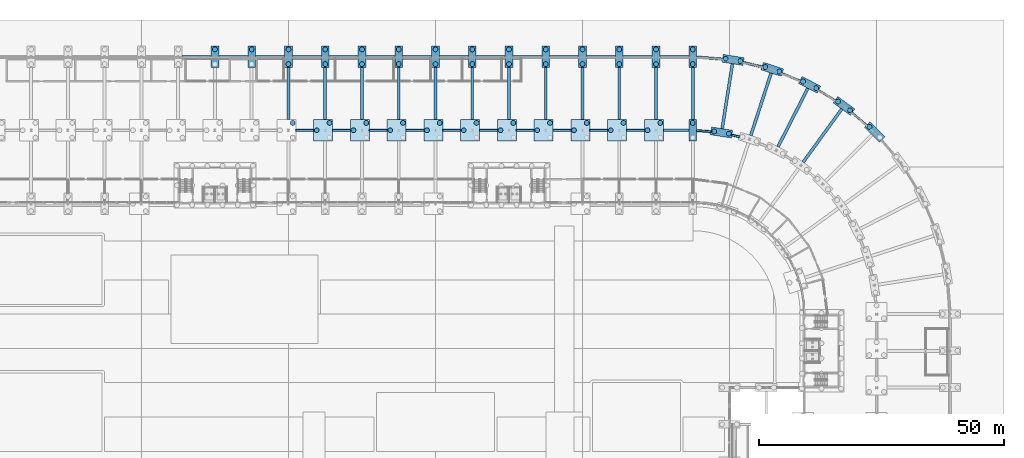
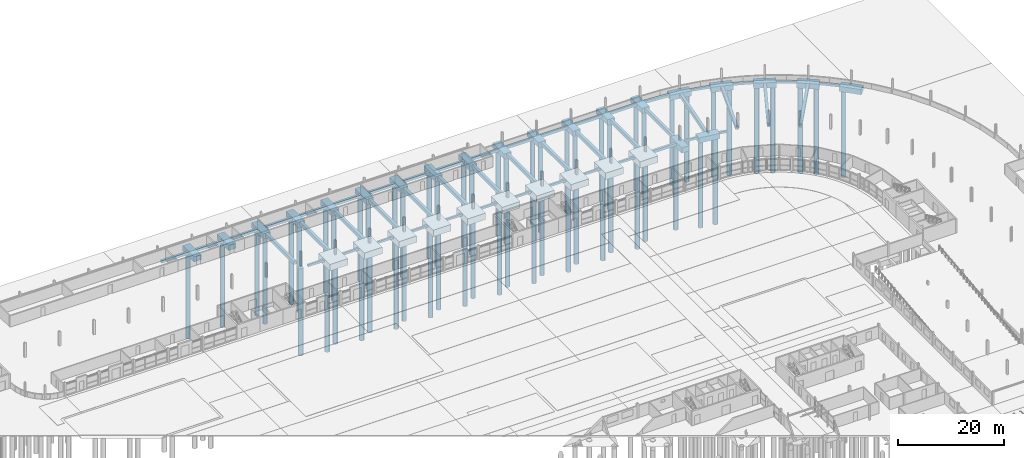
# One storey, part 8 of 130: 79 footings, 59 piles.
"""IFC4 building model written with IfcOpenShell, lengths in metres."""

from ifc_helpers import new_model, si_unit, direction, frame, origin, origin_2d, place, context, subcontext, project, spatial, rectangle, circle, extrude, material, material_profile, profile_set, type_object, element, save


model = new_model("IFC4")

# Units and contexts
model_context = context("Model", 3, precision=1e-05, world=origin(), true_north=direction((0.0, 1.0)))
body_context = subcontext(model_context, "Body", "Model", "MODEL_VIEW")
ifc_project = project(units=[si_unit("LENGTHUNIT", "METRE"), si_unit("AREAUNIT", "SQUARE_METRE"), si_unit("VOLUMEUNIT", "CUBIC_METRE"), si_unit("PLANEANGLEUNIT", "RADIAN"), si_unit("MASSUNIT", "GRAM", prefix="KILO")], contexts=[model_context])

# Site, building, storey
site_placement = place(None, origin())
site = spatial("IfcSite", under=ifc_project, at=site_placement, CompositionType="ELEMENT")
building_placement = place(site_placement, origin())
building = spatial("IfcBuilding", under=site, at=building_placement, Name="Parallax Yard Mobility Hub", CompositionType="ELEMENT")
storey_placement = place(building_placement, origin())
storey = spatial("IfcBuildingStorey", under=building, at=storey_placement, Name="L00", CompositionType="ELEMENT", Elevation=0.0)

# Piles
ifc_material = material(Name="Concrete fc' 28 MPa", Category="concrete")
ifc_material_profile_1 = material_profile(ifc_material, circle(Radius=0.5, at=origin_2d()), Name="Bored pile D1000")
ifc_profile_set_1 = profile_set([ifc_material_profile_1], Name="Concrete fc' 28 MPa")
pile_type = type_object("IfcPileType", Name="Bored pile D1000", PredefinedType="BORED", material=ifc_profile_set_1)
for number, where, z_axis, x_axis, name in (
    (1, (179.852783203125, 126.802978515625, -1.35009765625), (0.0, 0.0, -1.0), (1.0, 0.0, 0.0), "Bored pile 1 of PC1 under column V4 at RB/R1"),
    (2, (176.8798828125, 127.273681640625, -1.35009765625), (0.0, 0.0, -1.0), (1.0, 0.0, 0.0), "Bored pile 2 of PC1 under column V4 at RB/R1"),
    (3, (182.19921875, 141.6181640625, -1.35009765625), (0.0, 0.0, -1.0), (1.0, 0.0, 0.0), "Bored pile 1 of PC1 under column V4 at RC/R1"),
    (4, (179.226318359375, 142.089111328125, -1.35009765625), (0.0, 0.0, -1.0), (1.0, 0.0, 0.0), "Bored pile 2 of PC1 under column V4 at RC/R1"),
    (5, (190.15478515625, 139.46533203125, -1.35009765625), (0.0, 0.0, -1.0), (1.0, 0.0, 0.0), "Bored pile 1 of PC1 under column V4 at RC/R2"),
    (6, (187.2919921875, 140.3955078125, -1.35009765625), (0.0, 0.0, -1.0), (1.0, 0.0, 0.0), "Bored pile 2 of PC1 under column V4 at RC/R2"),
    (7, (197.675537109375, 136.094482421875, -1.35009765625), (0.0, 0.0, -1.0), (1.0, 0.0, 0.0), "Bored pile 1 of PC1 under column V4 at RC/R3"),
    (8, (194.993408203125, 137.461181640625, -1.35009765625), (0.0, 0.0, -1.0), (1.0, 0.0, 0.0), "Bored pile 2 of PC1 under column V4 at RC/R3"),
    (9, (204.576416015625, 131.5888671875, -1.35009765625), (0.0, 0.0, -1.0), (1.0, 0.0, 0.0), "Bored pile 1 of PC1 under column V4 at RC/R4"),
    (10, (202.14111328125, 133.35791015625, -1.35009765625), (0.0, 0.0, -1.0), (1.0, 0.0, 0.0), "Bored pile 2 of PC1 under column V4 at RC/R4"),
    (11, (208.558837890625, 128.187255859375, -1.35009765625), (0.0, 0.0, -1.0), (1.0, 0.0, 0.0), "Bored pile 2 of PC1 under column V4 at RC/R5"),
    (12, (90.868896484375, 129.0048828125, -1.64990234375), (0.0, 0.0, -1.0), (1.0, 0.0, 0.0), "Bored pile 2 of PC3 under column V4 at T/13"),
    (13, (98.368896484375, 129.0048828125, -1.64990234375), (0.0, 0.0, -1.0), (1.0, 0.0, 0.0), "Bored pile 2 of PC3 under column V4 at T/14"),
    (14, (95.76220703125, 127.5, -1.64990234375), (0.0, 0.0, -1.0), (1.0, 0.0, 0.0), "Bored pile 3 of PC3 under column V4 at T/14"),
    (15, (105.868896484375, 129.0048828125, -1.64990234375), (0.0, 0.0, -1.0), (1.0, 0.0, 0.0), "Bored pile 2 of PC3 under column V4 at T/15"),
    (16, (103.26220703125, 127.5, -1.64990234375), (0.0, 0.0, -1.0), (1.0, 0.0, 0.0), "Bored pile 3 of PC3 under column V4 at T/15"),
    (17, (113.368896484375, 129.0048828125, -1.64990234375), (0.0, 0.0, -1.0), (1.0, 0.0, 0.0), "Bored pile 2 of PC3 under column V4 at T/16"),
    (18, (110.76220703125, 127.5, -1.64990234375), (0.0, 0.0, -1.0), (1.0, 0.0, 0.0), "Bored pile 3 of PC3 under column V4 at T/16"),
    (19, (120.868896484375, 129.0048828125, -1.64990234375), (0.0, 0.0, -1.0), (1.0, 0.0, 0.0), "Bored pile 2 of PC3 under column V4 at T/17"),
    (20, (118.26220703125, 127.5, -1.64990234375), (0.0, 0.0, -1.0), (1.0, 0.0, 0.0), "Bored pile 3 of PC3 under column V4 at T/17"),
    (21, (128.368896484375, 129.0048828125, -1.64990234375), (0.0, 0.0, -1.0), (1.0, 0.0, 0.0), "Bored pile 2 of PC3 under column V4 at T/18"),
    (22, (125.76220703125, 127.5, -1.64990234375), (0.0, 0.0, -1.0), (1.0, 0.0, 0.0), "Bored pile 3 of PC3 under column V4 at T/18"),
    (23, (135.868896484375, 129.0048828125, -1.64990234375), (0.0, 0.0, -1.0), (1.0, 0.0, 0.0), "Bored pile 2 of PC3 under column V4 at T/19"),
    (24, (133.26220703125, 127.5, -1.64990234375), (0.0, 0.0, -1.0), (1.0, 0.0, 0.0), "Bored pile 3 of PC3 under column V4 at T/19"),
    (25, (143.368896484375, 129.0048828125, -1.64990234375), (0.0, 0.0, -1.0), (1.0, 0.0, 0.0), "Bored pile 2 of PC3 under column V4 at T/20"),
    (26, (140.76220703125, 127.5, -1.64990234375), (0.0, 0.0, -1.0), (1.0, 0.0, 0.0), "Bored pile 3 of PC3 under column V4 at T/20"),
    (27, (150.868896484375, 129.0048828125, -1.64990234375), (0.0, 0.0, -1.0), (1.0, 0.0, 0.0), "Bored pile 2 of PC3 under column V4 at T/21"),
    (28, (148.26220703125, 127.5, -1.64990234375), (0.0, 0.0, -1.0), (1.0, 0.0, 0.0), "Bored pile 3 of PC3 under column V4 at T/21"),
    (29, (158.368896484375, 129.0048828125, -1.64990234375), (0.0, 0.0, -1.0), (1.0, 0.0, 0.0), "Bored pile 2 of PC3 under column V4 at T/22"),
    (30, (155.76220703125, 127.5, -1.64990234375), (0.0, 0.0, -1.0), (1.0, 0.0, 0.0), "Bored pile 3 of PC3 under column V4 at T/22"),
    (31, (165.868896484375, 129.0048828125, -1.64990234375), (0.0, 0.0, -1.0), (1.0, 0.0, 0.0), "Bored pile 2 of PC3 under column V4 at T/23"),
    (32, (163.26220703125, 127.5, -1.64990234375), (0.0, 0.0, -1.0), (1.0, 0.0, 0.0), "Bored pile 3 of PC3 under column V4 at T/23"),
    (33, (172.5, 129.0048828125, -1.35009765625), (0.0, 0.0, -1.0), (1.0, 0.0, 0.0), "Bored pile 2 of PC1 under column V4 at T/24"),
    (34, (75.0, 144.0048828125, -1.35009765625), (0.0, 0.0, -1.0), (1.0, 0.0, 0.0), "Bored pile 2 of PC1 under column V4 at V/11"),
    (35, (82.5, 144.0048828125, -1.35009765625), (0.0, 0.0, -1.0), (1.0, 0.0, 0.0), "Bored pile 2 of PC1 under column V4 at V/12"),
    (36, (90.0, 140.9951171875, -1.35009765625), (0.0, 0.0, -1.0), (1.0, 0.0, 0.0), "Bored pile 1 of PC1 under column V4 at V/13"),
    (37, (90.0, 144.0048828125, -1.35009765625), (0.0, 0.0, -1.0), (1.0, 0.0, 0.0), "Bored pile 2 of PC1 under column V4 at V/13"),
    (38, (97.5, 140.9951171875, -1.35009765625), (0.0, 0.0, -1.0), (1.0, 0.0, 0.0), "Bored pile 1 of PC1 under column V4 at V/14"),
    (39, (97.5, 144.0048828125, -1.35009765625), (0.0, 0.0, -1.0), (1.0, 0.0, 0.0), "Bored pile 2 of PC1 under column V4 at V/14"),
    (40, (105.0, 140.9951171875, -1.35009765625), (0.0, 0.0, -1.0), (1.0, 0.0, 0.0), "Bored pile 1 of PC1 under column V4 at V/15"),
    (41, (105.0, 144.0048828125, -1.35009765625), (0.0, 0.0, -1.0), (1.0, 0.0, 0.0), "Bored pile 2 of PC1 under column V4 at V/15"),
    (42, (112.5, 140.9951171875, -1.35009765625), (0.0, 0.0, -1.0), (1.0, 0.0, 0.0), "Bored pile 1 of PC1 under column V4 at V/16"),
    (43, (112.5, 144.0048828125, -1.35009765625), (0.0, 0.0, -1.0), (1.0, 0.0, 0.0), "Bored pile 2 of PC1 under column V4 at V/16"),
    (44, (120.0, 140.9951171875, -1.35009765625), (0.0, 0.0, -1.0), (1.0, 0.0, 0.0), "Bored pile 1 of PC1 under column V4 at V/17"),
    (45, (120.0, 144.0048828125, -1.35009765625), (0.0, 0.0, -1.0), (1.0, 0.0, 0.0), "Bored pile 2 of PC1 under column V4 at V/17"),
    (46, (127.5, 140.9951171875, -1.35009765625), (0.0, 0.0, -1.0), (1.0, 0.0, 0.0), "Bored pile 1 of PC1 under column V4 at V/18"),
    (47, (127.5, 144.0048828125, -1.35009765625), (0.0, 0.0, -1.0), (1.0, 0.0, 0.0), "Bored pile 2 of PC1 under column V4 at V/18"),
    (48, (135.0, 140.9951171875, -1.35009765625), (0.0, 0.0, -1.0), (1.0, 0.0, 0.0), "Bored pile 1 of PC1 under column V4 at V/19"),
    (49, (135.0, 144.0048828125, -1.35009765625), (0.0, 0.0, -1.0), (1.0, 0.0, 0.0), "Bored pile 2 of PC1 under column V4 at V/19"),
    (50, (142.5, 140.9951171875, -1.35009765625), (0.0, 0.0, -1.0), (1.0, 0.0, 0.0), "Bored pile 1 of PC1 under column V4 at V/20"),
    (51, (142.5, 144.0048828125, -1.35009765625), (0.0, 0.0, -1.0), (1.0, 0.0, 0.0), "Bored pile 2 of PC1 under column V4 at V/20"),
    (52, (150.0, 140.9951171875, -1.35009765625), (0.0, 0.0, -1.0), (1.0, 0.0, 0.0), "Bored pile 1 of PC1 under column V4 at V/21"),
    (53, (150.0, 144.0048828125, -1.35009765625), (0.0, 0.0, -1.0), (1.0, 0.0, 0.0), "Bored pile 2 of PC1 under column V4 at V/21"),
    (54, (157.5, 140.9951171875, -1.35009765625), (0.0, 0.0, -1.0), (1.0, 0.0, 0.0), "Bored pile 1 of PC1 under column V4 at V/22"),
    (55, (157.5, 144.0048828125, -1.35009765625), (0.0, 0.0, -1.0), (1.0, 0.0, 0.0), "Bored pile 2 of PC1 under column V4 at V/22"),
    (56, (165.0, 140.9951171875, -1.35009765625), (0.0, 0.0, -1.0), (1.0, 0.0, 0.0), "Bored pile 1 of PC1 under column V4 at V/23"),
    (57, (165.0, 144.0048828125, -1.35009765625), (0.0, 0.0, -1.0), (1.0, 0.0, 0.0), "Bored pile 2 of PC1 under column V4 at V/23"),
    (58, (172.5, 140.9951171875, -1.35009765625), (0.0, 0.0, -1.0), (1.0, 0.0, 0.0), "Bored pile 1 of PC1 under column V4 at V/24"),
    (59, (172.5, 144.0048828125, -1.35009765625), (0.0, 0.0, -1.0), (1.0, 0.0, 0.0), "Bored pile 2 of PC1 under column V4 at V/24"),
):
    element("IfcPile", number, at=place(storey_placement, frame(where, z_axis=z_axis, x_axis=x_axis)), inside=storey, type_object=pile_type, Name=name, PredefinedType="BORED", context=body_context, shape_type="SweptSolid", body=[
        extrude(circle(Radius=0.5, at=origin_2d()), origin(), (0.0, 0.0, 1.0), 20.0),
    ])

# Footings
ifc_material_profile_2 = material_profile(ifc_material, rectangle(XDim=0.39990234375, YDim=0.5, at=origin_2d()), Name="Grade beam 400x500")
ifc_profile_set_2 = profile_set([ifc_material_profile_2], Name="Concrete fc' 28 MPa")
footing_type_1 = type_object("IfcFootingType", Name="Grade beam 400x500", PredefinedType="STRIP_FOOTING", material=ifc_profile_set_2)
footing_1_placement = place(storey_placement, frame((180.46826171875, 126.53369140625, -0.5), z_axis=(0.972354639586, -0.233509003844, 0.0), x_axis=(0.233509003844, 0.972354639586, 0.0)))
element("IfcFooting", 60, at=footing_1_placement, inside=storey, type_object=footing_type_1, Name="Grade beam GB1 between RB/R1 and RB/R2 of ramped parking decks", PredefinedType="STRIP_FOOTING", context=body_context, shape_type="SweptSolid", body=[
    extrude(rectangle(XDim=0.39990234375, YDim=0.5, at=origin_2d()), origin(), (0.0, 0.0, 1.0), 1.56103515625),
])
footing_2_placement = place(storey_placement, frame((176.211181640625, 127.2080078125, -0.5), z_axis=(-0.996920204877, 0.078422605852, 0.0), x_axis=(-0.078422605852, -0.996920204877, 0.0)))
element("IfcFooting", 61, at=footing_2_placement, inside=storey, type_object=footing_type_1, Name="Grade beam GB1 between RB/R1 and T/24 of ramped parking decks", PredefinedType="STRIP_FOOTING", context=body_context, shape_type="SweptSolid", body=[
    extrude(rectangle(XDim=0.39990234375, YDim=0.5, at=origin_2d()), origin(), (0.0, 0.0, 1.0), 2.920166015625),
])
for number, where, z_axis, x_axis, name in (
    (62, (182.814697265625, 141.34912109375, -0.5), (0.972363523165, -0.23347200864, 0.0), (0.23347200864, 0.972363523165, 0.0), "Grade beam GB1 between RC/R1 and RC/R2 of ramped parking decks"),
    (63, (190.720458984375, 139.103271484375, -0.5), (0.923870138272, -0.382706111277, 0.0), (0.382706111277, 0.923870138272, 0.0), "Grade beam GB1 between RC/R2 and RC/R3 of ramped parking decks"),
    (64, (198.177490234375, 135.648193359375, -0.5), (0.852663088634, -0.522461153849, 0.0), (0.522461153849, 0.852663088634, 0.0), "Grade beam GB1 between RC/R3 and RC/R4 of ramped parking decks"),
    (65, (205.00244140625, 131.069580078125, -0.5), (0.760426287154, -0.649424254094, 0.0), (0.649424254094, 0.760426287154, 0.0), "Grade beam GB1 between RC/R4 and RC/R5 of ramped parking decks"),
):
    element("IfcFooting", number, at=place(storey_placement, frame(where, z_axis=z_axis, x_axis=x_axis)), inside=storey, type_object=footing_type_1, Name=name, PredefinedType="STRIP_FOOTING", context=body_context, shape_type="SweptSolid", body=[
        extrude(rectangle(XDim=0.39990234375, YDim=0.5, at=origin_2d()), origin(), (0.0, 0.0, 1.0), 3.9150390625),
    ])
for number, where, z_axis, x_axis, name in (
    (66, (91.518798828125, 127.5, -0.5), (1.0, 0.0, 0.0), (0.0, 1.0, 0.0), "Grade beam GB1 between T/13 and T/14 of ramped parking decks"),
    (67, (99.018798828125, 127.5, -0.5), (1.0, 0.0, 0.0), (0.0, 1.0, 0.0), "Grade beam GB1 between T/14 and T/15 of ramped parking decks"),
    (68, (106.518798828125, 127.5, -0.5), (1.0, 0.0, 0.0), (0.0, 1.0, 0.0), "Grade beam GB1 between T/15 and T/16 of ramped parking decks"),
    (69, (114.018798828125, 127.5, -0.5), (1.0, 0.0, 0.0), (0.0, 1.0, 0.0), "Grade beam GB1 between T/16 and T/17 of ramped parking decks"),
    (70, (121.518798828125, 127.5, -0.5), (1.0, 0.0, 0.0), (0.0, 1.0, 0.0), "Grade beam GB1 between T/17 and T/18 of ramped parking decks"),
    (71, (129.018798828125, 127.5, -0.5), (1.0, 0.0, 0.0), (0.0, 1.0, 0.0), "Grade beam GB1 between T/18 and T/19 of ramped parking decks"),
    (72, (136.518798828125, 127.5, -0.5), (1.0, 0.0, 0.0), (0.0, 1.0, 0.0), "Grade beam GB1 between T/19 and T/20 of ramped parking decks"),
    (73, (144.018798828125, 127.5, -0.5), (1.0, 0.0, 0.0), (0.0, 1.0, 0.0), "Grade beam GB1 between T/20 and T/21 of ramped parking decks"),
    (74, (151.518798828125, 127.5, -0.5), (1.0, 0.0, 0.0), (0.0, 1.0, 0.0), "Grade beam GB1 between T/21 and T/22 of ramped parking decks"),
    (75, (159.018798828125, 127.5, -0.5), (1.0, 0.0, 0.0), (0.0, 1.0, 0.0), "Grade beam GB1 between T/22 and T/23 of ramped parking decks"),
):
    element("IfcFooting", number, at=place(storey_placement, frame(where, z_axis=z_axis, x_axis=x_axis)), inside=storey, type_object=footing_type_1, Name=name, PredefinedType="STRIP_FOOTING", context=body_context, shape_type="SweptSolid", body=[
        extrude(rectangle(XDim=0.39990234375, YDim=0.5, at=origin_2d()), origin(), (0.0, 0.0, 1.0), 3.593505859375),
    ])
ifc_material_profile_3 = material_profile(ifc_material, rectangle(XDim=0.5, YDim=0.60009765625, at=origin_2d()), Name="Grade beam 500x600")
ifc_profile_set_3 = profile_set([ifc_material_profile_3], Name="Concrete fc' 28 MPa")
footing_type_2 = type_object("IfcFootingType", Name="Grade beam 500x600", PredefinedType="STRIP_FOOTING", material=ifc_profile_set_3)
footing_3_placement = place(storey_placement, frame((178.557861328125, 142.023193359375, -0.550048828125), z_axis=(-0.996917043916, 0.078462778113, 0.0), x_axis=(-0.078462778113, -0.996917043916, 0.0)))
element("IfcFooting", 76, at=footing_3_placement, inside=storey, type_object=footing_type_2, Name="Grade beam GB2 between RC/R1 and V/24 of ramped parking decks", PredefinedType="STRIP_FOOTING", context=body_context, shape_type="SweptSolid", body=[
    extrude(rectangle(XDim=0.5, YDim=0.60009765625, at=origin_2d()), origin(), (0.0, 0.0, 1.0), 5.274169921875),
])
footing_4_placement = place(storey_placement, frame((166.518798828125, 127.5, -0.550048828125), z_axis=(1.0, 0.0, 0.0), x_axis=(0.0, 1.0, 0.0)))
element("IfcFooting", 77, at=footing_4_placement, inside=storey, type_object=footing_type_2, Name="Grade beam GB2 between T/23 and T/24 of ramped parking decks", PredefinedType="STRIP_FOOTING", context=body_context, shape_type="SweptSolid", body=[
    extrude(rectangle(XDim=0.5, YDim=0.60009765625, at=origin_2d()), origin(), (0.0, 0.0, 1.0), 5.18115234375),
])
for number, where, z_axis, x_axis, name in (
    (78, (68.300048828125, 142.5, -0.550048828125), (1.0, 0.0, 0.0), (0.0, 1.0, 0.0), "Grade beam GB2 between V/10 and V/11 of ramped parking decks"),
    (79, (75.800048828125, 142.5, -0.550048828125), (1.0, 0.0, 0.0), (0.0, 1.0, 0.0), "Grade beam GB2 between V/11 and V/12 of ramped parking decks"),
    (80, (83.300048828125, 142.5, -0.550048828125), (1.0, 0.0, 0.0), (0.0, 1.0, 0.0), "Grade beam GB2 between V/12 and V/13 of ramped parking decks"),
    (81, (90.800048828125, 142.5, -0.550048828125), (1.0, 0.0, 0.0), (0.0, 1.0, 0.0), "Grade beam GB2 between V/13 and V/14 of ramped parking decks"),
    (82, (98.300048828125, 142.5, -0.550048828125), (1.0, 0.0, 0.0), (0.0, 1.0, 0.0), "Grade beam GB2 between V/14 and V/15 of ramped parking decks"),
    (83, (105.800048828125, 142.5, -0.550048828125), (1.0, 0.0, 0.0), (0.0, 1.0, 0.0), "Grade beam GB2 between V/15 and V/16 of ramped parking decks"),
    (84, (113.300048828125, 142.5, -0.550048828125), (1.0, 0.0, 0.0), (0.0, 1.0, 0.0), "Grade beam GB2 between V/16 and V/17 of ramped parking decks"),
    (85, (120.800048828125, 142.5, -0.550048828125), (1.0, 0.0, 0.0), (0.0, 1.0, 0.0), "Grade beam GB2 between V/17 and V/18 of ramped parking decks"),
    (86, (128.300048828125, 142.5, -0.550048828125), (1.0, 0.0, 0.0), (0.0, 1.0, 0.0), "Grade beam GB2 between V/18 and V/19 of ramped parking decks"),
    (87, (135.800048828125, 142.5, -0.550048828125), (1.0, 0.0, 0.0), (0.0, 1.0, 0.0), "Grade beam GB2 between V/19 and V/20 of ramped parking decks"),
    (88, (143.300048828125, 142.5, -0.550048828125), (1.0, 0.0, 0.0), (0.0, 1.0, 0.0), "Grade beam GB2 between V/20 and V/21 of ramped parking decks"),
    (89, (150.800048828125, 142.5, -0.550048828125), (1.0, 0.0, 0.0), (0.0, 1.0, 0.0), "Grade beam GB2 between V/21 and V/22 of ramped parking decks"),
    (90, (158.300048828125, 142.5, -0.550048828125), (1.0, 0.0, 0.0), (0.0, 1.0, 0.0), "Grade beam GB2 between V/22 and V/23 of ramped parking decks"),
    (91, (165.800048828125, 142.5, -0.550048828125), (1.0, 0.0, 0.0), (0.0, 1.0, 0.0), "Grade beam GB2 between V/23 and V/24 of ramped parking decks"),
):
    element("IfcFooting", number, at=place(storey_placement, frame(where, z_axis=z_axis, x_axis=x_axis)), inside=storey, type_object=footing_type_2, Name=name, PredefinedType="STRIP_FOOTING", context=body_context, shape_type="SweptSolid", body=[
        extrude(rectangle(XDim=0.5, YDim=0.60009765625, at=origin_2d()), origin(), (0.0, 0.0, 1.0), 5.89990234375),
    ])
ifc_material_profile_4 = material_profile(ifc_material, rectangle(XDim=0.60009765625, YDim=0.800048828125, at=origin_2d()), Name="Grade beam 600x800")
ifc_profile_set_4 = profile_set([ifc_material_profile_4], Name="Concrete fc' 28 MPa")
footing_type_3 = type_object("IfcFootingType", Name="Grade beam 600x800", PredefinedType="STRIP_FOOTING", material=ifc_profile_set_4)
footing_5_placement = place(storey_placement, frame((178.491455078125, 127.82861328125, -0.64990234375), z_axis=(0.1564341005, 0.987688398333, 0.0), x_axis=(-0.987688398333, 0.1564341005, 0.0)))
element("IfcFooting", 92, at=footing_5_placement, inside=storey, type_object=footing_type_3, Name="Grade beam GB3 between RB/R1 and RC/R1 of ramped parking decks", PredefinedType="STRIP_FOOTING", context=body_context, shape_type="SweptSolid", body=[
    extrude(rectangle(XDim=0.60009765625, YDim=0.800048828125, at=origin_2d()), origin(), (0.0, 0.0, 1.0), 13.39990234375),
])
footing_6_placement = place(storey_placement, frame((184.335205078125, 126.42529296875, -0.64990234375), z_axis=(0.30903128083, 0.951051874226, 0.0), x_axis=(-0.951051874226, 0.30903128083, 0.0)))
element("IfcFooting", 93, at=footing_6_placement, inside=storey, type_object=footing_type_3, Name="Grade beam GB3 between RB/R2 and RC/R2 of ramped parking decks", PredefinedType="STRIP_FOOTING", context=body_context, shape_type="SweptSolid", body=[
    extrude(rectangle(XDim=0.60009765625, YDim=0.800048828125, at=origin_2d()), origin(), (0.0, 0.0, 1.0), 13.400390625),
])
for number, where, z_axis, x_axis, name in (
    (94, (189.8876953125, 124.12548828125, -0.64990234375), (0.453992921322, 0.891005290326, 0.0), (-0.891005290326, 0.453992921322, 0.0), "Grade beam GB3 between RB/R3 and RC/R3 of ramped parking decks"),
    (95, (195.01220703125, 120.9853515625, -0.64990234375), (0.587780548963, 0.809020411523, 0.0), (-0.809020411523, 0.587780548963, 0.0), "Grade beam GB3 between RB/R4 and RC/R4 of ramped parking decks"),
):
    element("IfcFooting", number, at=place(storey_placement, frame(where, z_axis=z_axis, x_axis=x_axis)), inside=storey, type_object=footing_type_3, Name=name, PredefinedType="STRIP_FOOTING", context=body_context, shape_type="SweptSolid", body=[
        extrude(rectangle(XDim=0.60009765625, YDim=0.800048828125, at=origin_2d()), origin(), (0.0, 0.0, 1.0), 13.39990234375),
    ])
for number, where, z_axis, x_axis, name in (
    (96, (90.0, 129.655029296875, -0.64990234375), (0.0, 1.0, 0.0), (-1.0, 0.0, 0.0), "Grade beam GB3 between T/13 and V/13 of ramped parking decks"),
    (97, (97.5, 129.655029296875, -0.64990234375), (0.0, 1.0, 0.0), (-1.0, 0.0, 0.0), "Grade beam GB3 between T/14 and V/14 of ramped parking decks"),
    (98, (105.0, 129.655029296875, -0.64990234375), (0.0, 1.0, 0.0), (-1.0, 0.0, 0.0), "Grade beam GB3 between T/15 and V/15 of ramped parking decks"),
    (99, (112.5, 129.655029296875, -0.64990234375), (0.0, 1.0, 0.0), (-1.0, 0.0, 0.0), "Grade beam GB3 between T/16 and V/16 of ramped parking decks"),
    (100, (120.0, 129.655029296875, -0.64990234375), (0.0, 1.0, 0.0), (-1.0, 0.0, 0.0), "Grade beam GB3 between T/17 and V/17 of ramped parking decks"),
    (101, (127.5, 129.655029296875, -0.64990234375), (0.0, 1.0, 0.0), (-1.0, 0.0, 0.0), "Grade beam GB3 between T/18 and V/18 of ramped parking decks"),
    (102, (135.0, 129.655029296875, -0.64990234375), (0.0, 1.0, 0.0), (-1.0, 0.0, 0.0), "Grade beam GB3 between T/19 and V/19 of ramped parking decks"),
    (103, (142.5, 129.655029296875, -0.64990234375), (0.0, 1.0, 0.0), (-1.0, 0.0, 0.0), "Grade beam GB3 between T/20 and V/20 of ramped parking decks"),
    (104, (150.0, 129.655029296875, -0.64990234375), (0.0, 1.0, 0.0), (-1.0, 0.0, 0.0), "Grade beam GB3 between T/21 and V/21 of ramped parking decks"),
    (105, (157.5, 129.655029296875, -0.64990234375), (0.0, 1.0, 0.0), (-1.0, 0.0, 0.0), "Grade beam GB3 between T/22 and V/22 of ramped parking decks"),
    (106, (165.0, 129.655029296875, -0.64990234375), (0.0, 1.0, 0.0), (-1.0, 0.0, 0.0), "Grade beam GB3 between T/23 and V/23 of ramped parking decks"),
    (107, (172.5, 129.655029296875, -0.64990234375), (0.0, 1.0, 0.0), (-1.0, 0.0, 0.0), "Grade beam GB3 between T/24 and V/24 of ramped parking decks"),
):
    element("IfcFooting", number, at=place(storey_placement, frame(where, z_axis=z_axis, x_axis=x_axis)), inside=storey, type_object=footing_type_3, Name=name, PredefinedType="STRIP_FOOTING", context=body_context, shape_type="SweptSolid", body=[
        extrude(rectangle(XDim=0.60009765625, YDim=0.800048828125, at=origin_2d()), origin(), (0.0, 0.0, 1.0), 10.68994140625),
    ])
footing_type_4 = type_object("IfcFootingType", Name="Pile cap 4310x1600x1200", PredefinedType="PILE_CAP", material=ifc_material)
for number, where, z_axis, x_axis, name in (
    (108, (178.3662109375, 127.038330078125, -1.4501953125), (0.0, 0.0, 1.0), (-0.987688340595, 0.15643446504, 0.0), "Pile cap PC1 under column V4 at RB/R1"),
    (109, (180.712890625, 141.853515625, -1.4501953125), (0.0, 0.0, 1.0), (-0.987688340595, 0.15643446504, 0.0), "Pile cap PC1 under column V4 at RC/R1"),
    (110, (188.723388671875, 139.930419921875, -1.4501953125), (0.0, 0.0, 1.0), (-0.951056516295, 0.309016994375, 0.0), "Pile cap PC1 under column V4 at RC/R2"),
    (111, (196.33447265625, 136.77783203125, -1.4501953125), (0.0, 0.0, 1.0), (-0.891006524188, 0.45399049974, 0.0), "Pile cap PC1 under column V4 at RC/R3"),
    (112, (203.358642578125, 132.473388671875, -1.4501953125), (0.0, 0.0, 1.0), (-0.809016994375, 0.587785252292, 0.0), "Pile cap PC1 under column V4 at RC/R4"),
    (113, (209.623046875, 127.123046875, -1.4501953125), (0.0, 0.0, 1.0), (-0.707106781187, 0.707106781187, 0.0), "Pile cap PC1 under column V4 at RC/R5"),
    (114, (172.5, 127.5, -1.4501953125), (0.0, 0.0, 1.0), (0.0, 1.0, 0.0), "Pile cap PC1 under column V4 at T/24"),
    (115, (75.0, 142.5, -1.4501953125), (0.0, 0.0, 1.0), (0.0, 1.0, 0.0), "Pile cap PC1 under column V4 at V/11"),
    (116, (82.5, 142.5, -1.4501953125), (0.0, 0.0, 1.0), (0.0, 1.0, 0.0), "Pile cap PC1 under column V4 at V/12"),
    (117, (90.0, 142.5, -1.4501953125), (0.0, 0.0, 1.0), (0.0, 1.0, 0.0), "Pile cap PC1 under column V4 at V/13"),
    (118, (97.5, 142.5, -1.4501953125), (0.0, 0.0, 1.0), (0.0, 1.0, 0.0), "Pile cap PC1 under column V4 at V/14"),
    (119, (105.0, 142.5, -1.4501953125), (0.0, 0.0, 1.0), (0.0, 1.0, 0.0), "Pile cap PC1 under column V4 at V/15"),
    (120, (112.5, 142.5, -1.4501953125), (0.0, 0.0, 1.0), (0.0, 1.0, 0.0), "Pile cap PC1 under column V4 at V/16"),
    (121, (120.0, 142.5, -1.4501953125), (0.0, 0.0, 1.0), (0.0, 1.0, 0.0), "Pile cap PC1 under column V4 at V/17"),
    (122, (127.5, 142.5, -1.4501953125), (0.0, 0.0, 1.0), (0.0, 1.0, 0.0), "Pile cap PC1 under column V4 at V/18"),
    (123, (135.0, 142.5, -1.4501953125), (0.0, 0.0, 1.0), (0.0, 1.0, 0.0), "Pile cap PC1 under column V4 at V/19"),
    (124, (142.5, 142.5, -1.4501953125), (0.0, 0.0, 1.0), (0.0, 1.0, 0.0), "Pile cap PC1 under column V4 at V/20"),
    (125, (150.0, 142.5, -1.4501953125), (0.0, 0.0, 1.0), (0.0, 1.0, 0.0), "Pile cap PC1 under column V4 at V/21"),
    (126, (157.5, 142.5, -1.4501953125), (0.0, 0.0, 1.0), (0.0, 1.0, 0.0), "Pile cap PC1 under column V4 at V/22"),
    (127, (165.0, 142.5, -1.4501953125), (0.0, 0.0, 1.0), (0.0, 1.0, 0.0), "Pile cap PC1 under column V4 at V/23"),
    (128, (172.5, 142.5, -1.4501953125), (0.0, 0.0, 1.0), (0.0, 1.0, 0.0), "Pile cap PC1 under column V4 at V/24"),
):
    element("IfcFooting", number, at=place(storey_placement, frame(where, z_axis=z_axis, x_axis=x_axis)), inside=storey, type_object=footing_type_4, Name=name, PredefinedType="PILE_CAP", context=body_context, shape_type="SweptSolid", body=[
        extrude(rectangle(XDim=4.31005859375, YDim=1.60009765625, at=origin_2d()), origin(), (0.0, 0.0, 1.0), 1.199951171875),
    ])
footing_type_5 = type_object("IfcFootingType", Name="Pile cap 4310x3907x1500", PredefinedType="PILE_CAP", material=ifc_material)
for number, where, z_axis, x_axis, name in (
    (129, (97.0654296875, 127.5, -1.75), (0.0, 0.0, 1.0), (0.0, 1.0, 0.0), "Pile cap PC3 under column V4 at T/14"),
    (130, (104.5654296875, 127.5, -1.75), (0.0, 0.0, 1.0), (0.0, 1.0, 0.0), "Pile cap PC3 under column V4 at T/15"),
    (131, (112.0654296875, 127.5, -1.75), (0.0, 0.0, 1.0), (0.0, 1.0, 0.0), "Pile cap PC3 under column V4 at T/16"),
    (132, (119.5654296875, 127.5, -1.75), (0.0, 0.0, 1.0), (0.0, 1.0, 0.0), "Pile cap PC3 under column V4 at T/17"),
    (133, (127.0654296875, 127.5, -1.75), (0.0, 0.0, 1.0), (0.0, 1.0, 0.0), "Pile cap PC3 under column V4 at T/18"),
    (134, (134.5654296875, 127.5, -1.75), (0.0, 0.0, 1.0), (0.0, 1.0, 0.0), "Pile cap PC3 under column V4 at T/19"),
    (135, (142.0654296875, 127.5, -1.75), (0.0, 0.0, 1.0), (0.0, 1.0, 0.0), "Pile cap PC3 under column V4 at T/20"),
    (136, (149.5654296875, 127.5, -1.75), (0.0, 0.0, 1.0), (0.0, 1.0, 0.0), "Pile cap PC3 under column V4 at T/21"),
    (137, (157.0654296875, 127.5, -1.75), (0.0, 0.0, 1.0), (0.0, 1.0, 0.0), "Pile cap PC3 under column V4 at T/22"),
    (138, (164.5654296875, 127.5, -1.75), (0.0, 0.0, 1.0), (0.0, 1.0, 0.0), "Pile cap PC3 under column V4 at T/23"),
):
    element("IfcFooting", number, at=place(storey_placement, frame(where, z_axis=z_axis, x_axis=x_axis)), inside=storey, type_object=footing_type_5, Name=name, PredefinedType="PILE_CAP", context=body_context, shape_type="SweptSolid", body=[
        extrude(rectangle(XDim=4.31005859375, YDim=3.90673828125, at=origin_2d()), origin(), (0.0, 0.0, 1.0), 1.5),
    ])

save(model, "model.ifc")
